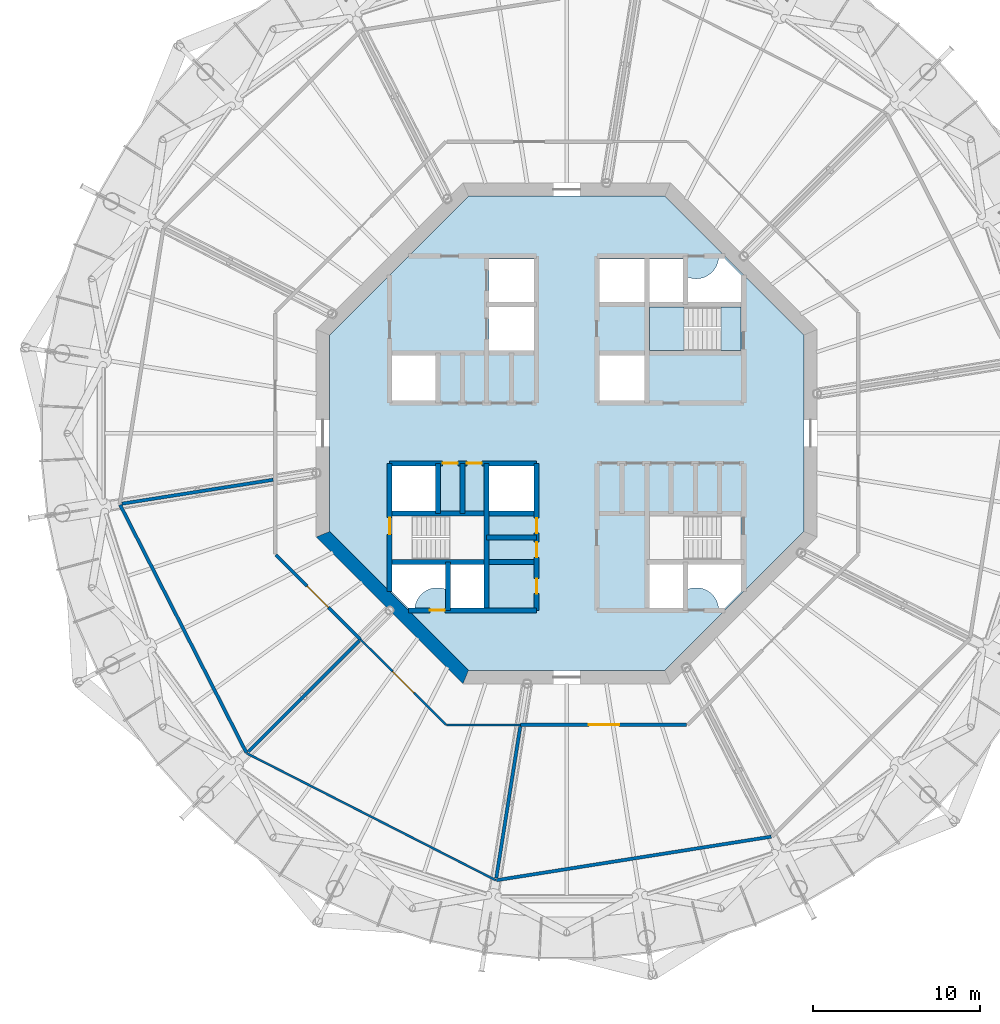
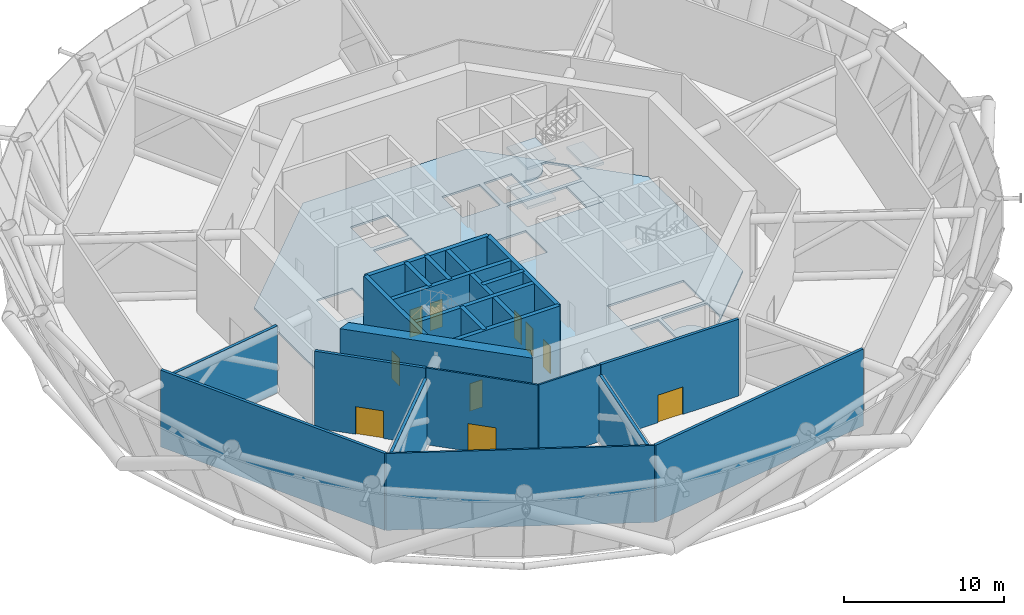
# One storey, part 7 of 20: 22 walls, 10 doors, 5 slabs, 10 openings, 1 element without a shape of its own.
"""IFC4 building model written with IfcOpenShell, lengths in metres."""

from ifc_helpers import new_model, si_unit, direction, frame, frame_2d, origin, place, context, subcontext, project, spatial, polyline, rectangle, outline, extrude, material, layer, layer_set, type_object, element, fill, aggregate, save


model = new_model("IFC4")

# Units and contexts
model_context = context("Model", 3, precision=1e-05, world=origin(), true_north=direction((0.0, 1.0)))
body_context = subcontext(model_context, "Body", "Model", "MODEL_VIEW")
ifc_project = project(units=[si_unit("LENGTHUNIT", "METRE"), si_unit("AREAUNIT", "SQUARE_METRE"), si_unit("VOLUMEUNIT", "CUBIC_METRE"), si_unit("PLANEANGLEUNIT", "RADIAN"), si_unit("MASSUNIT", "GRAM", prefix="KILO")], contexts=[model_context])

# Site, building, storey
site_placement = place(None, origin())
site = spatial("IfcSite", under=ifc_project, at=site_placement, CompositionType="ELEMENT")
building_placement = place(site_placement, origin())
building = spatial("IfcBuilding", under=site, at=building_placement, Name="Entoto Ring Tower", CompositionType="ELEMENT")
storey_placement = place(building_placement, frame((0.0, 0.0, 330.0)))
storey = spatial("IfcBuildingStorey", under=building, at=storey_placement, Name="L76", CompositionType="ELEMENT", Elevation=330.0)

# Slab
ifc_material_1 = material(Name="Concrete C40/50", Category="concrete")
ifc_layer_1 = layer(ifc_material_1, 0.14990234375)
ifc_layer_set_1 = layer_set([ifc_layer_1], Name="Concrete C40/50")
slab_type_1 = type_object("IfcSlabType", Name="Core floor slab 150 mm reinforced concrete C40/50", PredefinedType="FLOOR", material=ifc_layer_set_1)
slab_1_placement = place(storey_placement, frame((0.0, 0.0, -0.14990234375)))
element("IfcSlab", 1, at=slab_1_placement, inside=storey, type_object=slab_type_1, Name="Core floor L76", PredefinedType="FLOOR", context=body_context, shape_type="SweptSolid", body=[
    extrude(outline(polyline([(104.199951171875, 74.1181640625), (104.199951171875, 85.8818359375), (95.8818359375, 94.199951171875), (84.1181640625, 94.199951171875), (75.800048828125, 85.8818359375), (75.800048828125, 74.1181640625), (84.1181640625, 65.800048828125), (95.8818359375, 65.800048828125), (104.199951171875, 74.1181640625)]), holes=[polyline([(100.449951171875, 84.949951171875), (100.449951171875, 87.550048828125), (94.949951171875, 87.550048828125), (94.949951171875, 84.949951171875), (100.449951171875, 84.949951171875)]), polyline([(85.050048828125, 72.449951171875), (85.050048828125, 75.050048828125), (79.550048828125, 75.050048828125), (79.550048828125, 72.449951171875), (85.050048828125, 72.449951171875)]), polyline([(100.449951171875, 72.449951171875), (100.449951171875, 75.050048828125), (94.949951171875, 75.050048828125), (94.949951171875, 72.449951171875), (100.449951171875, 72.449951171875)]), polyline([(94.949951171875, 90.449951171875), (94.949951171875, 87.85009765625), (96.949951171875, 87.85009765625), (96.949951171875, 90.449951171875), (94.949951171875, 90.449951171875)]), polyline([(94.949951171875, 72.14990234375), (94.949951171875, 69.550048828125), (96.949951171875, 69.550048828125), (96.949951171875, 72.14990234375), (94.949951171875, 72.14990234375)]), polyline([(83.050048828125, 72.14990234375), (83.050048828125, 69.550048828125), (85.050048828125, 69.550048828125), (85.050048828125, 72.14990234375), (83.050048828125, 72.14990234375)]), polyline([(79.550048828125, 81.949951171875), (82.14990234375, 81.949951171875), (82.14990234375, 84.64990234375), (79.550048828125, 84.64990234375), (79.550048828125, 81.949951171875)]), polyline([(79.550048828125, 75.35009765625), (82.14990234375, 75.35009765625), (82.14990234375, 78.050048828125), (79.550048828125, 78.050048828125), (79.550048828125, 75.35009765625)]), polyline([(91.949951171875, 87.85009765625), (94.64990234375, 87.85009765625), (94.64990234375, 90.449951171875), (91.949951171875, 90.449951171875), (91.949951171875, 87.85009765625)]), polyline([(91.949951171875, 81.949951171875), (94.64990234375, 81.949951171875), (94.64990234375, 84.64990234375), (91.949951171875, 84.64990234375), (91.949951171875, 81.949951171875)]), polyline([(85.35009765625, 75.35009765625), (88.050048828125, 75.35009765625), (88.050048828125, 78.050048828125), (85.35009765625, 78.050048828125), (85.35009765625, 75.35009765625)]), polyline([(85.35009765625, 84.949951171875), (88.050048828125, 84.949951171875), (88.050048828125, 87.550048828125), (85.35009765625, 87.550048828125), (85.35009765625, 84.949951171875)]), polyline([(85.35009765625, 87.85009765625), (88.050048828125, 87.85009765625), (88.050048828125, 90.449951171875), (85.35009765625, 90.449951171875), (85.35009765625, 87.85009765625)]), polyline([(97.199951171875, 89.368408203125), (97.199951171875, 87.800048828125), (100.5, 87.800048828125), (100.5, 89.4404296875), (99.4404296875, 90.5), (99.09521484375, 90.5), (99.093505859375, 90.4677734375), (99.07421875, 90.336669921875), (99.0419921875, 90.2080078125), (98.997314453125, 90.08349609375), (98.940673828125, 89.963623046875), (98.87255859375, 89.85009765625), (98.793701171875, 89.74365234375), (98.70458984375, 89.6455078125), (98.6064453125, 89.556396484375), (98.5, 89.4775390625), (98.386474609375, 89.409423828125), (98.2666015625, 89.352783203125), (98.141845703125, 89.30810546875), (98.013427734375, 89.27587890625), (97.88232421875, 89.256591796875), (97.75, 89.25), (97.61767578125, 89.256591796875), (97.486572265625, 89.27587890625), (97.358154296875, 89.30810546875), (97.2333984375, 89.352783203125), (97.199951171875, 89.368408203125)]), polyline([(80.5595703125, 69.5), (80.90478515625, 69.5), (80.906494140625, 69.5322265625), (80.92578125, 69.663330078125), (80.9580078125, 69.7919921875), (81.002685546875, 69.91650390625), (81.059326171875, 70.036376953125), (81.12744140625, 70.14990234375), (81.206298828125, 70.25634765625), (81.29541015625, 70.3544921875), (81.3935546875, 70.443603515625), (81.5, 70.5224609375), (81.613525390625, 70.590576171875), (81.7333984375, 70.647216796875), (81.858154296875, 70.69189453125), (81.986572265625, 70.72412109375), (82.11767578125, 70.743408203125), (82.25, 70.75), (82.38232421875, 70.743408203125), (82.513427734375, 70.72412109375), (82.641845703125, 70.69189453125), (82.7666015625, 70.647216796875), (82.800048828125, 70.631591796875), (82.800048828125, 72.199951171875), (79.5, 72.199951171875), (79.5, 70.5595703125), (80.5595703125, 69.5)]), polyline([(99.09521484375, 69.5), (99.4404296875, 69.5), (100.5, 70.5595703125), (100.5, 72.199951171875), (97.199951171875, 72.199951171875), (97.199951171875, 70.631591796875), (97.2333984375, 70.647216796875), (97.358154296875, 70.69189453125), (97.486572265625, 70.72412109375), (97.61767578125, 70.743408203125), (97.75, 70.75), (97.88232421875, 70.743408203125), (98.013427734375, 70.72412109375), (98.141845703125, 70.69189453125), (98.2666015625, 70.647216796875), (98.386474609375, 70.590576171875), (98.5, 70.5224609375), (98.6064453125, 70.443603515625), (98.70458984375, 70.3544921875), (98.793701171875, 70.25634765625), (98.87255859375, 70.14990234375), (98.940673828125, 70.036376953125), (98.997314453125, 69.91650390625), (99.0419921875, 69.7919921875), (99.07421875, 69.663330078125), (99.093505859375, 69.5322265625), (99.09521484375, 69.5)])]), origin(), (0.0, 0.0, 1.0), 0.14990234375),
])

# Stair, slabs
ifc_material_2 = material(Name="Concrete C40/50", Category="concrete")
stair_type = type_object("IfcStairType", Name="Exit stair 1200 mm dog-leg reinforced concrete", PredefinedType="HALF_TURN_STAIR", material=ifc_material_2)
stair_placement = place(storey_placement, origin())
stair = element("IfcStair", 2, at=stair_placement, inside=storey, type_object=stair_type, Name="Exit stair 1", PredefinedType="HALF_TURN_STAIR")
ifc_material_3 = material(Name="Concrete C40/50", Category="concrete")
ifc_layer_2 = layer(ifc_material_3, 0.199951171875)
ifc_layer_set_2 = layer_set([ifc_layer_2], Name="Concrete C40/50")
slab_type_2 = type_object("IfcSlabType", Name="Stair landing 200 mm reinforced concrete", PredefinedType="LANDING", material=ifc_layer_set_2)
slab_2_placement = place(storey_placement, frame((0.0, 0.0, -0.199951171875)))
slab_2 = element("IfcSlab", 3, at=slab_2_placement, type_object=slab_type_2, Name="ST1 landing 1", PredefinedType="LANDING", context=body_context, shape_type="SweptSolid", body=[
    extrude(outline(polyline([(100.449951171875, 84.949951171875), (100.449951171875, 87.550048828125), (99.25, 87.550048828125), (99.25, 84.949951171875), (100.449951171875, 84.949951171875)])), origin(), (0.0, 0.0, 1.0), 0.199951171875),
])
slab_3_placement = place(storey_placement, frame((0.0, 0.0, 1.300048828125)))
slab_3 = element("IfcSlab", 4, at=slab_3_placement, type_object=slab_type_2, Name="ST1 landing 2", PredefinedType="LANDING", context=body_context, shape_type="SweptSolid", body=[
    extrude(outline(polyline([(94.949951171875, 84.949951171875), (97.010009765625, 84.949951171875), (97.010009765625, 87.550048828125), (94.949951171875, 87.550048828125), (94.949951171875, 84.949951171875)])), origin(), (0.0, 0.0, 1.0), 0.199951171875),
])
slab_4_placement = place(storey_placement, frame((0.0, 0.0, 2.800048828125)))
slab_4 = element("IfcSlab", 5, at=slab_4_placement, type_object=slab_type_2, Name="ST1 landing 3", PredefinedType="LANDING", context=body_context, shape_type="SweptSolid", body=[
    extrude(outline(polyline([(99.25, 84.949951171875), (100.449951171875, 84.949951171875), (100.449951171875, 87.550048828125), (99.25, 87.550048828125), (99.25, 84.949951171875)])), origin(), (0.0, 0.0, 1.0), 0.199951171875),
])
slab_5_placement = place(storey_placement, frame((0.0, 0.0, 4.300048828125)))
slab_5 = element("IfcSlab", 6, at=slab_5_placement, type_object=slab_type_2, Name="ST1 landing 4", PredefinedType="LANDING", context=body_context, shape_type="SweptSolid", body=[
    extrude(outline(polyline([(94.949951171875, 84.949951171875), (97.010009765625, 84.949951171875), (97.010009765625, 87.550048828125), (94.949951171875, 87.550048828125), (94.949951171875, 84.949951171875)])), origin(), (0.0, 0.0, 1.0), 0.199951171875),
])
aggregate(stair, [slab_2, slab_3, slab_4, slab_5])

# Wall, openings, doors
ifc_material_4 = material(Name="Concrete C40/50", Category="concrete")
ifc_layer_3 = layer(ifc_material_4, 0.300048828125)
ifc_layer_set_3 = layer_set([ifc_layer_3], Name="Concrete C40/50")
wall_type_1 = type_object("IfcWallType", Name="Core enclosure wall 300 mm reinforced concrete", PredefinedType="SOLIDWALL", material=ifc_layer_set_3)
wall_1_placement = place(storey_placement, frame((88.199951171875, 69.39990234375, 0.0), z_axis=(0.0, 0.0, 1.0), x_axis=(0.0, 1.0, 0.0)))
wall_1 = element("IfcWall", 7, at=wall_1_placement, inside=storey, type_object=wall_type_1, Name="wall-L76-013", PredefinedType="SOLIDWALL", context=body_context, shape_type="SweptSolid", body=[
    extrude(rectangle(XDim=8.800048828125, YDim=0.300048828125, at=frame_2d((4.39990234375, 0.0))), origin(), (0.0, 0.0, 1.0), 5.85009765625),
])
opening_1_placement = place(wall_1_placement, frame((3.175048828125, 0.0, 0.0)))
opening_1 = element("IfcOpeningElement", 8, at=opening_1_placement, cuts=wall_1, Name="Opening K-16", PredefinedType="OPENING", context=body_context, shape_type="SweptSolid", body=[
    extrude(rectangle(XDim=0.89990234375, YDim=2.10009765625, at=frame_2d((0.449951171875, 1.050048828125))), frame((0.0, 0.16015625, 0.0), z_axis=(0.0, -1.0, 0.0), x_axis=(1.0, 0.0, 0.0)), (0.0, 0.0, 1.0), 0.320068359375),
])
opening_2_placement = place(wall_1_placement, frame((4.625, 0.0, 0.0)))
opening_2 = element("IfcOpeningElement", 9, at=opening_2_placement, cuts=wall_1, Name="Opening K-57", PredefinedType="OPENING", context=body_context, shape_type="SweptSolid", body=[
    extrude(rectangle(XDim=0.89990234375, YDim=2.10009765625, at=frame_2d((0.449951171875, 1.050048828125))), frame((0.0, 0.16015625, 0.0), z_axis=(0.0, -1.0, 0.0), x_axis=(1.0, 0.0, 0.0)), (0.0, 0.0, 1.0), 0.320068359375),
])
opening_3_placement = place(wall_1_placement, frame((1.0, 0.0, 0.0)))
opening_3 = element("IfcOpeningElement", 10, at=opening_3_placement, cuts=wall_1, Name="Opening K-18", PredefinedType="OPENING", context=body_context, shape_type="SweptSolid", body=[
    extrude(rectangle(XDim=0.89990234375, YDim=2.10009765625, at=frame_2d((0.449951171875, 1.050048828125))), frame((0.0, 0.16015625, 0.0), z_axis=(0.0, -1.0, 0.0), x_axis=(1.0, 0.0, 0.0)), (0.0, 0.0, 1.0), 0.320068359375),
])
ifc_material_5 = material(Name="Steel door leaf, fire rated", Category="steel")
ifc_layer_4 = layer(ifc_material_5, 0.050048828125)
ifc_layer_set_4 = layer_set([ifc_layer_4], Name="Steel door leaf, fire rated")
door_type_1 = type_object("IfcDoorType", Name="Core door 900 x 2100 single leaf", OperationType="NOTDEFINED", PredefinedType="DOOR", material=ifc_layer_set_4)
door_1_placement = place(opening_1_placement, origin())
door_1 = element("IfcDoor", 11, at=door_1_placement, inside=storey, type_object=door_type_1, Name="Door K-16", OperationType="SINGLE_SWING_RIGHT", OverallHeight=2.10009765625, OverallWidth=0.89990234375, PredefinedType="DOOR", context=body_context, shape_type="SweptSolid", body=[
    extrude(rectangle(XDim=0.89990234375, YDim=2.10009765625, at=frame_2d((0.449951171875, 1.050048828125))), frame((0.0, 0.02490234375, 0.0), z_axis=(0.0, -1.0, 0.0), x_axis=(1.0, 0.0, 0.0)), (0.0, 0.0, 1.0), 0.050048828125),
])
fill(opening_1, door_1)
door_2_placement = place(opening_2_placement, origin())
door_2 = element("IfcDoor", 12, at=door_2_placement, inside=storey, type_object=door_type_1, Name="Door K-57", OperationType="SINGLE_SWING_RIGHT", OverallHeight=2.10009765625, OverallWidth=0.89990234375, PredefinedType="DOOR", context=body_context, shape_type="SweptSolid", body=[
    extrude(rectangle(XDim=0.89990234375, YDim=2.10009765625, at=frame_2d((0.449951171875, 1.050048828125))), frame((0.0, 0.02490234375, 0.0), z_axis=(0.0, -1.0, 0.0), x_axis=(1.0, 0.0, 0.0)), (0.0, 0.0, 1.0), 0.050048828125),
])
fill(opening_2, door_2)
door_3_placement = place(opening_3_placement, origin())
door_3 = element("IfcDoor", 13, at=door_3_placement, inside=storey, type_object=door_type_1, Name="Door K-18", OperationType="SINGLE_SWING_RIGHT", OverallHeight=2.10009765625, OverallWidth=0.89990234375, PredefinedType="DOOR", context=body_context, shape_type="SweptSolid", body=[
    extrude(rectangle(XDim=0.89990234375, YDim=2.10009765625, at=frame_2d((0.449951171875, 1.050048828125))), frame((0.0, 0.02490234375, 0.0), z_axis=(0.0, -1.0, 0.0), x_axis=(1.0, 0.0, 0.0)), (0.0, 0.0, 1.0), 0.050048828125),
])
fill(opening_3, door_3)

# Walls
wall_2_placement = place(storey_placement, frame((85.199951171875, 69.39990234375, 0.0), z_axis=(0.0, 0.0, 1.0), x_axis=(0.0, 1.0, 0.0)))
element("IfcWall", 14, at=wall_2_placement, inside=storey, type_object=wall_type_1, Name="wall-L76-016", PredefinedType="SOLIDWALL", context=body_context, shape_type="SweptSolid", body=[
    extrude(rectangle(XDim=8.800048828125, YDim=0.300048828125, at=frame_2d((4.39990234375, 0.0))), origin(), (0.0, 0.0, 1.0), 5.85009765625),
])
wall_3_placement = place(storey_placement, frame((83.75, 75.199951171875, 0.0), z_axis=(0.0, 0.0, 1.0), x_axis=(0.0, 1.0, 0.0)))
element("IfcWall", 15, at=wall_3_placement, inside=storey, type_object=wall_type_1, Name="wall-L76-018", PredefinedType="SOLIDWALL", context=body_context, shape_type="SweptSolid", body=[
    extrude(rectangle(XDim=3.0, YDim=0.300048828125, at=frame_2d((1.5, 0.0))), origin(), (0.0, 0.0, 1.0), 5.85009765625),
])
wall_4_placement = place(storey_placement, frame((82.89990234375, 69.39990234375, 0.0), z_axis=(0.0, 0.0, 1.0), x_axis=(0.0, 1.0, 0.0)))
element("IfcWall", 16, at=wall_4_placement, inside=storey, type_object=wall_type_1, Name="wall-L76-020", PredefinedType="SOLIDWALL", context=body_context, shape_type="SweptSolid", body=[
    extrude(rectangle(XDim=2.900146484375, YDim=0.300048828125, at=frame_2d((1.4501953125, 0.0))), origin(), (0.0, 0.0, 1.0), 5.85009765625),
])
wall_5_placement = place(storey_placement, frame((82.300048828125, 75.199951171875, 0.0), z_axis=(0.0, 0.0, 1.0), x_axis=(0.0, 1.0, 0.0)))
element("IfcWall", 17, at=wall_5_placement, inside=storey, type_object=wall_type_1, Name="wall-L76-021", PredefinedType="SOLIDWALL", context=body_context, shape_type="SweptSolid", body=[
    extrude(rectangle(XDim=3.0, YDim=0.300048828125, at=frame_2d((1.5, 0.0))), origin(), (0.0, 0.0, 1.0), 5.85009765625),
])

# Wall, opening, door
wall_6_placement = place(storey_placement, frame((79.39990234375, 70.518310546875, 0.0), z_axis=(0.0, 0.0, 1.0), x_axis=(0.0, 1.0, 0.0)))
wall_6 = element("IfcWall", 18, at=wall_6_placement, inside=storey, type_object=wall_type_1, Name="wall-L76-023", PredefinedType="SOLIDWALL", context=body_context, shape_type="SweptSolid", body=[
    extrude(rectangle(XDim=7.681640625, YDim=0.300048828125, at=frame_2d((3.8408203125, 0.0))), origin(), (0.0, 0.0, 1.0), 5.85009765625),
])
opening_4_placement = place(wall_6_placement, frame((3.431884765625, 0.0, 0.0)))
opening_4 = element("IfcOpeningElement", 19, at=opening_4_placement, cuts=wall_6, Name="Opening K-73", PredefinedType="OPENING", context=body_context, shape_type="SweptSolid", body=[
    extrude(rectangle(XDim=1.0, YDim=2.10009765625, at=frame_2d((0.5, 1.050048828125))), frame((0.0, 0.16015625, 0.0), z_axis=(0.0, -1.0, 0.0), x_axis=(1.0, 0.0, 0.0)), (0.0, 0.0, 1.0), 0.320068359375),
])
ifc_material_6 = material(Name="Steel door leaf, fire rated", Category="steel")
ifc_layer_5 = layer(ifc_material_6, 0.050048828125)
ifc_layer_set_5 = layer_set([ifc_layer_5], Name="Steel door leaf, fire rated")
door_type_2 = type_object("IfcDoorType", Name="Fire door FD60 1000 x 2100 single leaf", OperationType="NOTDEFINED", PredefinedType="DOOR", material=ifc_layer_set_5)
door_4_placement = place(opening_4_placement, frame((1.0, 0.0, 0.0), z_axis=(0.0, 0.0, 1.0), x_axis=(-1.0, 0.0, 0.0)))
door_4 = element("IfcDoor", 20, at=door_4_placement, inside=storey, type_object=door_type_2, Name="Door K-73", OperationType="SINGLE_SWING_LEFT", OverallHeight=2.10009765625, OverallWidth=1.0, PredefinedType="DOOR", context=body_context, shape_type="SweptSolid", body=[
    extrude(rectangle(XDim=1.0, YDim=2.10009765625, at=frame_2d((0.5, 1.050048828125))), frame((0.0, 0.02490234375, 0.0), z_axis=(0.0, -1.0, 0.0), x_axis=(1.0, 0.0, 0.0)), (0.0, 0.0, 1.0), 0.050048828125),
])
fill(opening_4, door_4)

wall_7_placement = place(storey_placement, frame((80.518310546875, 69.39990234375, 0.0), z_axis=(0.0, 0.0, 1.0), x_axis=(1.0, 0.0, 0.0)))
wall_7 = element("IfcWall", 21, at=wall_7_placement, inside=storey, type_object=wall_type_1, Name="wall-L76-025", PredefinedType="SOLIDWALL", context=body_context, shape_type="SweptSolid", body=[
    extrude(rectangle(XDim=7.681640625, YDim=0.300048828125, at=frame_2d((3.8408203125, 0.0))), origin(), (0.0, 0.0, 1.0), 5.85009765625),
])
opening_5_placement = place(wall_7_placement, frame((1.28173828125, 0.0, 0.0)))
opening_5 = element("IfcOpeningElement", 22, at=opening_5_placement, cuts=wall_7, Name="Opening K-80", PredefinedType="OPENING", context=body_context, shape_type="SweptSolid", body=[
    extrude(rectangle(XDim=0.89990234375, YDim=2.10009765625, at=frame_2d((0.449951171875, 1.050048828125))), frame((0.0, 0.16015625, 0.0), z_axis=(0.0, -1.0, 0.0), x_axis=(1.0, 0.0, 0.0)), (0.0, 0.0, 1.0), 0.320068359375),
])
ifc_material_7 = material(Name="Steel door leaf, fire rated", Category="steel")
ifc_layer_6 = layer(ifc_material_7, 0.050048828125)
ifc_layer_set_6 = layer_set([ifc_layer_6], Name="Steel door leaf, fire rated")
door_type_3 = type_object("IfcDoorType", Name="Riser door FD60 900 x 2100 single leaf", OperationType="NOTDEFINED", PredefinedType="DOOR", material=ifc_layer_set_6)
door_5_placement = place(opening_5_placement, origin())
door_5 = element("IfcDoor", 23, at=door_5_placement, inside=storey, type_object=door_type_3, Name="Door K-80", OperationType="SINGLE_SWING_RIGHT", OverallHeight=2.10009765625, OverallWidth=0.89990234375, PredefinedType="DOOR", context=body_context, shape_type="SweptSolid", body=[
    extrude(rectangle(XDim=0.89990234375, YDim=2.10009765625, at=frame_2d((0.449951171875, 1.050048828125))), frame((0.0, 0.02490234375, 0.0), z_axis=(0.0, -1.0, 0.0), x_axis=(1.0, 0.0, 0.0)), (0.0, 0.0, 1.0), 0.050048828125),
])
fill(opening_5, door_5)

# Walls
wall_8_placement = place(storey_placement, frame((79.39990234375, 72.300048828125, 0.0), z_axis=(0.0, 0.0, 1.0), x_axis=(1.0, 0.0, 0.0)))
element("IfcWall", 24, at=wall_8_placement, inside=storey, type_object=wall_type_1, Name="wall-L76-027", PredefinedType="SOLIDWALL", context=body_context, shape_type="SweptSolid", body=[
    extrude(rectangle(XDim=8.800048828125, YDim=0.300048828125, at=frame_2d((4.39990234375, 0.0))), origin(), (0.0, 0.0, 1.0), 5.85009765625),
])
wall_9_placement = place(storey_placement, frame((85.199951171875, 73.75, 0.0), z_axis=(0.0, 0.0, 1.0), x_axis=(1.0, 0.0, 0.0)))
element("IfcWall", 25, at=wall_9_placement, inside=storey, type_object=wall_type_1, Name="wall-L76-029", PredefinedType="SOLIDWALL", context=body_context, shape_type="SweptSolid", body=[
    extrude(rectangle(XDim=3.0, YDim=0.300048828125, at=frame_2d((1.5, 0.0))), origin(), (0.0, 0.0, 1.0), 5.85009765625),
])
wall_10_placement = place(storey_placement, frame((79.39990234375, 75.199951171875, 0.0), z_axis=(0.0, 0.0, 1.0), x_axis=(1.0, 0.0, 0.0)))
element("IfcWall", 26, at=wall_10_placement, inside=storey, type_object=wall_type_1, Name="wall-L76-030", PredefinedType="SOLIDWALL", context=body_context, shape_type="SweptSolid", body=[
    extrude(rectangle(XDim=8.800048828125, YDim=0.300048828125, at=frame_2d((4.39990234375, 0.0))), origin(), (0.0, 0.0, 1.0), 5.85009765625),
])

# Wall, openings, doors
wall_11_placement = place(storey_placement, frame((79.39990234375, 78.199951171875, 0.0), z_axis=(0.0, 0.0, 1.0), x_axis=(1.0, 0.0, 0.0)))
wall_11 = element("IfcWall", 27, at=wall_11_placement, inside=storey, type_object=wall_type_1, Name="wall-L76-032", PredefinedType="SOLIDWALL", context=body_context, shape_type="SweptSolid", body=[
    extrude(rectangle(XDim=8.800048828125, YDim=0.300048828125, at=frame_2d((4.39990234375, 0.0))), origin(), (0.0, 0.0, 1.0), 5.85009765625),
])
opening_6_placement = place(wall_11_placement, frame((3.175048828125, 0.0, 0.0)))
opening_6 = element("IfcOpeningElement", 28, at=opening_6_placement, cuts=wall_11, Name="Opening K-12", PredefinedType="OPENING", context=body_context, shape_type="SweptSolid", body=[
    extrude(rectangle(XDim=0.89990234375, YDim=2.10009765625, at=frame_2d((0.449951171875, 1.050048828125))), frame((0.0, 0.16015625, 0.0), z_axis=(0.0, -1.0, 0.0), x_axis=(1.0, 0.0, 0.0)), (0.0, 0.0, 1.0), 0.320068359375),
])
opening_7_placement = place(wall_11_placement, frame((4.625, 0.0, 0.0)))
opening_7 = element("IfcOpeningElement", 29, at=opening_7_placement, cuts=wall_11, Name="Opening K-46", PredefinedType="OPENING", context=body_context, shape_type="SweptSolid", body=[
    extrude(rectangle(XDim=0.89990234375, YDim=2.10009765625, at=frame_2d((0.449951171875, 1.050048828125))), frame((0.0, 0.16015625, 0.0), z_axis=(0.0, -1.0, 0.0), x_axis=(1.0, 0.0, 0.0)), (0.0, 0.0, 1.0), 0.320068359375),
])
door_6_placement = place(opening_6_placement, frame((0.89990234375, 0.0, 0.0), z_axis=(0.0, 0.0, 1.0), x_axis=(-1.0, 0.0, 0.0)))
door_6 = element("IfcDoor", 30, at=door_6_placement, inside=storey, type_object=door_type_1, Name="Door K-12", OperationType="SINGLE_SWING_LEFT", OverallHeight=2.10009765625, OverallWidth=0.89990234375, PredefinedType="DOOR", context=body_context, shape_type="SweptSolid", body=[
    extrude(rectangle(XDim=0.89990234375, YDim=2.10009765625, at=frame_2d((0.449951171875, 1.050048828125))), frame((0.0, 0.02490234375, 0.0), z_axis=(0.0, -1.0, 0.0), x_axis=(1.0, 0.0, 0.0)), (0.0, 0.0, 1.0), 0.050048828125),
])
fill(opening_6, door_6)
door_7_placement = place(opening_7_placement, frame((0.89990234375, 0.0, 0.0), z_axis=(0.0, 0.0, 1.0), x_axis=(-1.0, 0.0, 0.0)))
door_7 = element("IfcDoor", 31, at=door_7_placement, inside=storey, type_object=door_type_1, Name="Door K-46", OperationType="SINGLE_SWING_LEFT", OverallHeight=2.10009765625, OverallWidth=0.89990234375, PredefinedType="DOOR", context=body_context, shape_type="SweptSolid", body=[
    extrude(rectangle(XDim=0.89990234375, YDim=2.10009765625, at=frame_2d((0.449951171875, 1.050048828125))), frame((0.0, 0.02490234375, 0.0), z_axis=(0.0, -1.0, 0.0), x_axis=(1.0, 0.0, 0.0)), (0.0, 0.0, 1.0), 0.050048828125),
])
fill(opening_7, door_7)

# Walls
ifc_material_8 = material(Name="Concrete C40/50", Category="concrete")
ifc_layer_7 = layer(ifc_material_8, 0.800048828125)
ifc_layer_set_7 = layer_set([ifc_layer_7], Name="Concrete C40/50")
wall_type_2 = type_object("IfcWallType", Name="Core shear wall 800 mm reinforced concrete C40/50", PredefinedType="SHEAR", material=ifc_layer_set_7)
wall_12_placement = place(storey_placement, frame((75.39990234375, 73.952392578125, 0.0), z_axis=(0.0, 0.0, 1.0), x_axis=(0.707106781187, -0.707106781187, 0.0)))
element("IfcWall", 32, at=wall_12_placement, inside=storey, type_object=wall_type_2, Name="wall-L76-core-5", PredefinedType="SHEAR", context=body_context, shape_type="SweptSolid", body=[
    extrude(outline(polyline([(-0.165771484375, -0.39990234375), (12.2607421875, -0.39990234375), (11.92919921875, 0.39990234375), (0.165771484375, 0.39990234375), (-0.165771484375, -0.39990234375)])), origin(), (0.0, 0.0, 1.0), 6.0),
])
ifc_material_9 = material(Name="Fire-resisting plasterboard on steel studs", Category="steel")
ifc_layer_8 = layer(ifc_material_9, 0.125)
ifc_layer_set_8 = layer_set([ifc_layer_8], Name="Fire-resisting plasterboard on steel studs")
wall_type_3 = type_object("IfcWallType", Name="Corridor wall 125 mm one-hour plasterboard on steel studs", PredefinedType="PARTITIONING", material=ifc_layer_set_8)
wall_13_placement = place(storey_placement, frame((85.760498046875, 53.233642578125, 0.0), z_axis=(0.0, 0.0, 1.0), x_axis=(-0.891005009393, 0.45399347268, 0.0)))
element("IfcWall", 33, at=wall_13_placement, inside=storey, type_object=wall_type_3, Name="partition-L76-001", PredefinedType="PARTITIONING", context=body_context, shape_type="SweptSolid", body=[
    extrude(rectangle(XDim=16.74853515625, YDim=0.125, at=frame_2d((8.374267578125, 0.0))), origin(), (0.0, 0.0, 1.0), 5.85009765625),
])

# Wall, opening, door
wall_14_placement = place(storey_placement, frame((82.766845703125, 62.53759765625, 0.0), z_axis=(0.0, 0.0, 1.0), x_axis=(-0.707123657445, 0.707089904526, 0.0)))
wall_14 = element("IfcWall", 34, at=wall_14_placement, inside=storey, type_object=wall_type_3, Name="partition-L76-003", PredefinedType="PARTITIONING", context=body_context, shape_type="SweptSolid", body=[
    extrude(rectangle(XDim=7.233154296875, YDim=0.125, at=frame_2d((3.61669921875, 0.0))), origin(), (0.0, 0.0, 1.0), 5.85009765625),
])
opening_8_placement = place(wall_14_placement, frame((2.716796875, 0.0, 0.0)))
opening_8 = element("IfcOpeningElement", 35, at=opening_8_placement, cuts=wall_14, Name="Opening A33-D07", PredefinedType="OPENING", context=body_context, shape_type="SweptSolid", body=[
    extrude(rectangle(XDim=1.800048828125, YDim=2.10009765625, at=frame_2d((0.89990234375, 1.050048828125))), frame((0.0, 0.072509765625, 0.0), z_axis=(0.0, -1.0, 0.0), x_axis=(1.0, 0.0, 0.0)), (0.0, 0.0, 1.0), 0.14501953125),
])
ifc_material_10 = material(Name="Fire-resisting timber door set", Category="wood")
door_type_4 = type_object("IfcDoorType", Name="Door 1800 x 2100 double leaf FD30S fire door", OperationType="DOUBLE_DOOR_SINGLE_SWING", PredefinedType="DOOR", material=ifc_material_10)
door_8_placement = place(opening_8_placement, origin())
door_8 = element("IfcDoor", 36, at=door_8_placement, inside=storey, type_object=door_type_4, Name="Door A33-D07", OperationType="DOUBLE_DOOR_SINGLE_SWING", OverallHeight=2.10009765625, OverallWidth=1.800048828125, PredefinedType="DOOR", context=body_context, shape_type="SweptSolid", body=[
    extrude(rectangle(XDim=1.800048828125, YDim=2.10009765625, at=frame_2d((0.89990234375, 1.050048828125))), frame((0.0, 0.02490234375, 0.0), z_axis=(0.0, -1.0, 0.0), x_axis=(1.0, 0.0, 0.0)), (0.0, 0.0, 1.0), 0.050048828125),
])
fill(opening_8, door_8)

# Walls
wall_15_placement = place(storey_placement, frame((82.810791015625, 62.53759765625, 0.0), z_axis=(0.0, 0.0, 1.0), x_axis=(1.0, 0.0, 0.0)))
element("IfcWall", 37, at=wall_15_placement, inside=storey, type_object=wall_type_3, Name="partition-L76-005", PredefinedType="PARTITIONING", context=body_context, shape_type="SweptSolid", body=[
    extrude(rectangle(XDim=4.42333984375, YDim=0.125, at=frame_2d((2.211669921875, 0.0))), origin(), (0.0, 0.0, 1.0), 5.85009765625),
])
ifc_material_11 = material(Name="Concrete C20/25", Category="concrete")
ifc_layer_9 = layer(ifc_material_11, 0.199951171875)
ifc_layer_set_9 = layer_set([ifc_layer_9], Name="Concrete C20/25")
wall_type_4 = type_object("IfcWallType", Name="Plant room wall 200 mm two-hour concrete", PredefinedType="PARTITIONING", material=ifc_layer_set_9)
for number, where, z_axis, x_axis, name in (
    (38, (85.796630859375, 53.2392578125, 0.0), (0.0, 0.0, 1.0), (0.987688325379, 0.156434561108, 0.0), "partition-L76-011"),
    (39, (70.82080078125, 60.869873046875, 0.0), (0.0, 0.0, 1.0), (-0.45398529397, 0.891009176641, 0.0), "partition-L76-013"),
):
    element("IfcWall", number, at=place(storey_placement, frame(where, z_axis=z_axis, x_axis=x_axis)), inside=storey, type_object=wall_type_4, Name=name, PredefinedType="PARTITIONING", context=body_context, shape_type="SweptSolid", body=[
        extrude(rectangle(XDim=16.65380859375, YDim=0.199951171875, at=frame_2d((8.326904296875, 0.0))), origin(), (0.0, 0.0, 1.0), 5.85009765625),
    ])

# Wall, opening, door
wall_16_placement = place(storey_placement, frame((87.234130859375, 62.53759765625, 0.0), z_axis=(0.0, 0.0, 1.0), x_axis=(1.0, 0.0, 0.0)))
wall_16 = element("IfcWall", 40, at=wall_16_placement, inside=storey, type_object=wall_type_4, Name="partition-L76-020", PredefinedType="PARTITIONING", context=body_context, shape_type="SweptSolid", body=[
    extrude(rectangle(XDim=9.928466796875, YDim=0.199951171875, at=frame_2d((4.96435546875, 0.0))), origin(), (0.0, 0.0, 1.0), 5.85009765625),
])
opening_9_placement = place(wall_16_placement, frame((4.099365234375, 0.0, 0.0)))
opening_9 = element("IfcOpeningElement", 41, at=opening_9_placement, cuts=wall_16, Name="Opening A33-D08", PredefinedType="OPENING", context=body_context, shape_type="SweptSolid", body=[
    extrude(rectangle(XDim=1.800048828125, YDim=2.10009765625, at=frame_2d((0.89990234375, 1.050048828125))), frame((0.0, 0.10986328125, 0.0), z_axis=(0.0, -1.0, 0.0), x_axis=(1.0, 0.0, 0.0)), (0.0, 0.0, 1.0), 0.219970703125),
])
ifc_material_12 = material(Name="Fire-resisting steel door set", Category="steel")
door_type_5 = type_object("IfcDoorType", Name="Door 1800 x 2100 double leaf FD60 steel door", OperationType="DOUBLE_DOOR_SINGLE_SWING", PredefinedType="DOOR", material=ifc_material_12)
door_9_placement = place(opening_9_placement, frame((1.800048828125, 0.0, 0.0), z_axis=(0.0, 0.0, 1.0), x_axis=(-1.0, 0.0, 0.0)))
door_9 = element("IfcDoor", 42, at=door_9_placement, inside=storey, type_object=door_type_5, Name="Door A33-D08", OperationType="DOUBLE_DOOR_SINGLE_SWING", OverallHeight=2.10009765625, OverallWidth=1.800048828125, PredefinedType="DOOR", context=body_context, shape_type="SweptSolid", body=[
    extrude(rectangle(XDim=1.800048828125, YDim=2.10009765625, at=frame_2d((0.89990234375, 1.050048828125))), frame((0.0, 0.02490234375, 0.0), z_axis=(0.0, -1.0, 0.0), x_axis=(1.0, 0.0, 0.0)), (0.0, 0.0, 1.0), 0.050048828125),
])
fill(opening_9, door_9)

wall_17_placement = place(storey_placement, frame((77.652099609375, 67.652099609375, 0.0), z_axis=(0.0, 0.0, 1.0), x_axis=(-0.707106781187, 0.707106781187, 0.0)))
wall_17 = element("IfcWall", 43, at=wall_17_placement, inside=storey, type_object=wall_type_4, Name="partition-L76-031", PredefinedType="PARTITIONING", context=body_context, shape_type="SweptSolid", body=[
    extrude(rectangle(XDim=7.16259765625, YDim=0.199951171875, at=frame_2d((3.581298828125, 0.0))), origin(), (0.0, 0.0, 1.0), 5.85009765625),
])
opening_10_placement = place(wall_17_placement, frame((2.716552734375, 0.0, 0.0)))
opening_10 = element("IfcOpeningElement", 44, at=opening_10_placement, cuts=wall_17, Name="Opening A33-D06", PredefinedType="OPENING", context=body_context, shape_type="SweptSolid", body=[
    extrude(rectangle(XDim=1.800048828125, YDim=2.10009765625, at=frame_2d((0.89990234375, 1.050048828125))), frame((0.0, 0.10986328125, 0.0), z_axis=(0.0, -1.0, 0.0), x_axis=(1.0, 0.0, 0.0)), (0.0, 0.0, 1.0), 0.219970703125),
])
door_10_placement = place(opening_10_placement, origin())
door_10 = element("IfcDoor", 45, at=door_10_placement, inside=storey, type_object=door_type_5, Name="Door A33-D06", OperationType="DOUBLE_DOOR_SINGLE_SWING", OverallHeight=2.10009765625, OverallWidth=1.800048828125, PredefinedType="DOOR", context=body_context, shape_type="SweptSolid", body=[
    extrude(rectangle(XDim=1.800048828125, YDim=2.10009765625, at=frame_2d((0.89990234375, 1.050048828125))), frame((0.0, 0.02490234375, 0.0), z_axis=(0.0, -1.0, 0.0), x_axis=(1.0, 0.0, 0.0)), (0.0, 0.0, 1.0), 0.050048828125),
])
fill(opening_10, door_10)

# Walls
ifc_material_13 = material(Name="Concrete C20/25", Category="concrete")
ifc_layer_10 = layer(ifc_material_13, 0.199951171875)
ifc_layer_set_10 = layer_set([ifc_layer_10], Name="Concrete C20/25")
wall_type_5 = type_object("IfcWallType", Name="Plant room wall 200 mm two-hour concrete, 5097 mm high", PredefinedType="PARTITIONING", material=ifc_layer_set_10)
wall_18_placement = place(storey_placement, frame((70.9345703125, 60.9345703125, 0.0), z_axis=(0.0, 0.0, 1.0), x_axis=(0.707106781187, 0.707106781187, 0.0)))
element("IfcWall", 46, at=wall_18_placement, inside=storey, type_object=wall_type_5, Name="partition-L76-021", PredefinedType="PARTITIONING", context=body_context, shape_type="SweptSolid", body=[
    extrude(rectangle(XDim=9.39990234375, YDim=0.199951171875, at=frame_2d((4.699951171875, 0.0))), origin(), (0.0, 0.0, 1.0), 5.096923828125),
])
wall_19_placement = place(storey_placement, frame((63.369384765625, 75.781982421875, 0.0), z_axis=(0.0, 0.0, 1.0), x_axis=(0.987687256754, 0.156441307989, 0.0)))
element("IfcWall", 47, at=wall_19_placement, inside=storey, type_object=wall_type_5, Name="partition-L76-023", PredefinedType="PARTITIONING", context=body_context, shape_type="SweptSolid", body=[
    extrude(rectangle(XDim=9.165283203125, YDim=0.199951171875, at=frame_2d((4.58251953125, 0.0))), origin(), (0.0, 0.0, 1.0), 5.096923828125),
])
wall_20_placement = place(storey_placement, frame((85.781982421875, 53.369384765625, 0.0), z_axis=(0.0, 0.0, 1.0), x_axis=(0.156448544149, 0.987686110581, 0.0)))
element("IfcWall", 48, at=wall_20_placement, inside=storey, type_object=wall_type_5, Name="partition-L76-024", PredefinedType="PARTITIONING", context=body_context, shape_type="SweptSolid", body=[
    extrude(rectangle(XDim=9.18359375, YDim=0.199951171875, at=frame_2d((4.591796875, 0.0))), origin(), (0.0, 0.0, 1.0), 5.096923828125),
])

save(model, "model.ifc")
